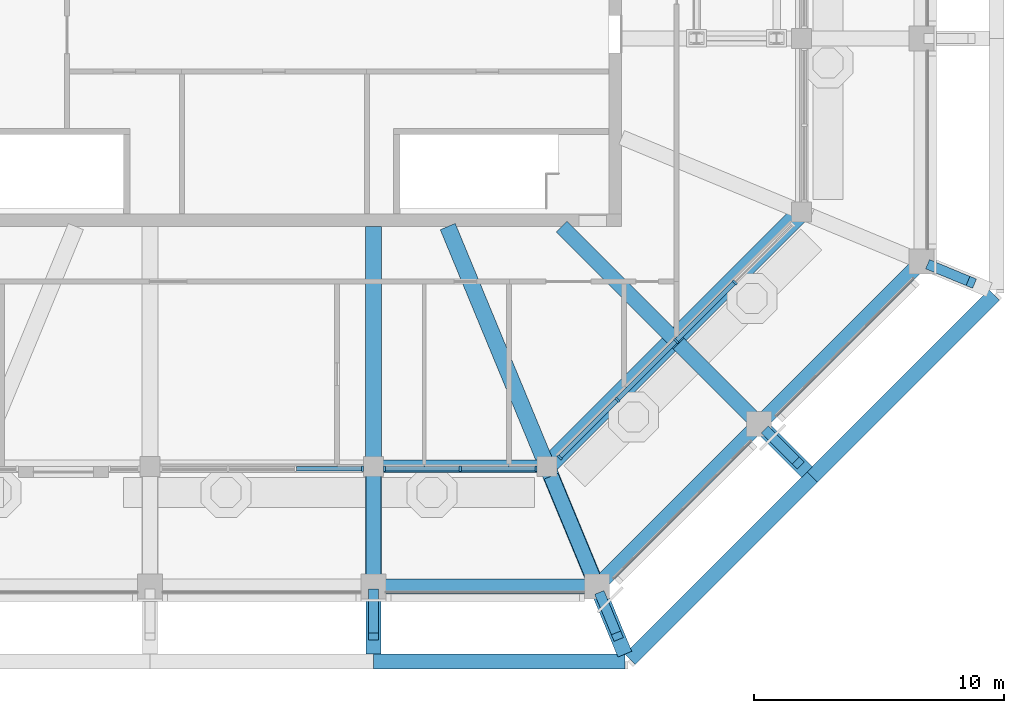
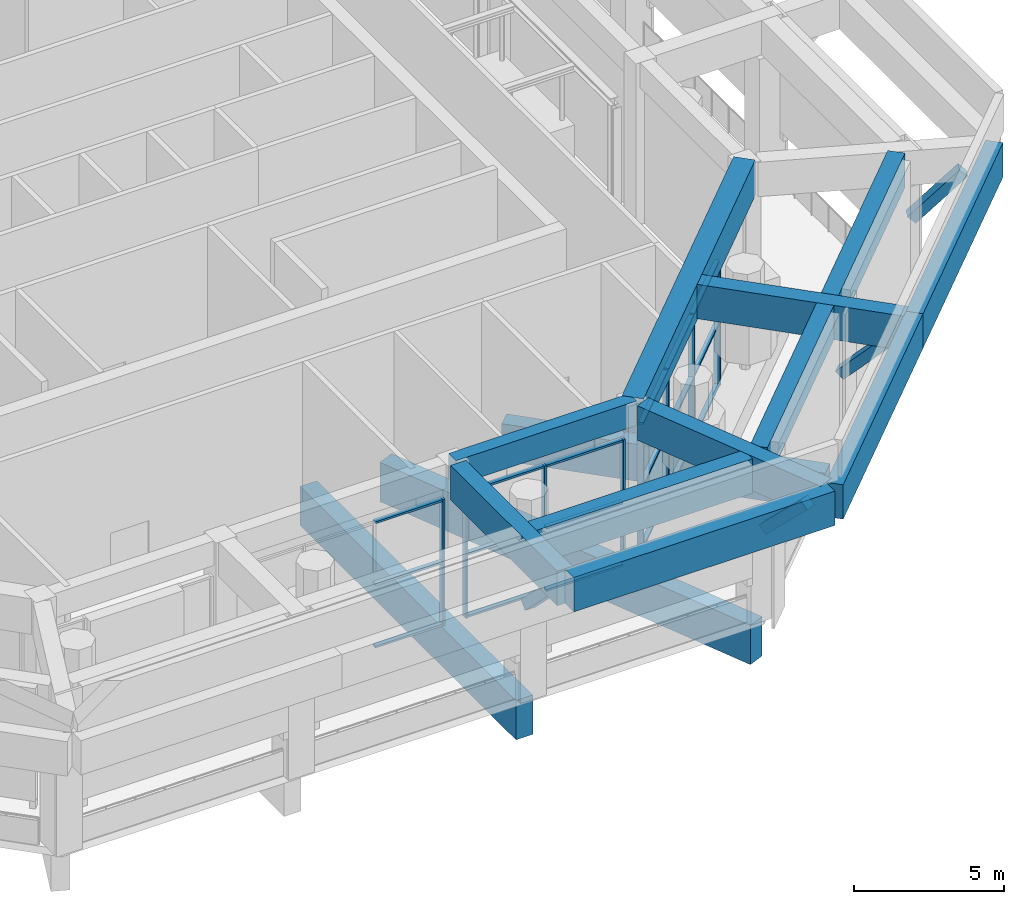
# One storey, part 7 of 29: 30 members, 14 beams, 3 elements without a shape of their own.
"""IFC4 building model written with IfcOpenShell, lengths in metres."""

from ifc_helpers import new_model, si_unit, direction, frame, origin, origin_2d, place, context, subcontext, project, spatial, rectangle, extrude, material, material_profile, profile_set, type_object, element, aggregate, save


model = new_model("IFC4")

# Units and contexts
model_context = context("Model", 3, precision=1e-05, world=origin(), true_north=direction((0.0, 1.0)))
body_context = subcontext(model_context, "Body", "Model", "MODEL_VIEW")
ifc_project = project(units=[si_unit("LENGTHUNIT", "METRE"), si_unit("AREAUNIT", "SQUARE_METRE"), si_unit("VOLUMEUNIT", "CUBIC_METRE"), si_unit("PLANEANGLEUNIT", "RADIAN"), si_unit("MASSUNIT", "GRAM", prefix="KILO")], contexts=[model_context])

# Site, building, storey
site_placement = place(None, origin())
site = spatial("IfcSite", under=ifc_project, at=site_placement, CompositionType="ELEMENT")
building_placement = place(site_placement, origin())
building = spatial("IfcBuilding", under=site, at=building_placement, Name="Msitu Wima Residences", CompositionType="ELEMENT")
storey_placement = place(building_placement, frame((0.0, 0.0, 320.10009765625)))
storey = spatial("IfcBuildingStorey", under=building, at=storey_placement, Name="L74", CompositionType="ELEMENT", Elevation=320.10009765625)

# Beams
ifc_material_1 = material(Name="Concrete C60/75", Category="concrete")
ifc_material_profile_1 = material_profile(ifc_material_1, rectangle(XDim=0.60009765625, YDim=1.39990234375, at=origin_2d()), Name="RC 600x1400")
ifc_profile_set_1 = profile_set([ifc_material_profile_1], Name="Concrete C60/75")
beam_type_1 = type_object("IfcBeamType", Name="Canopy cantilever beam CT600x1400", PredefinedType="BEAM", material=ifc_profile_set_1)
beam_1_placement = place(storey_placement, frame((4.46875, -21.988037109375, 5.89990234375), z_axis=(0.0, -1.0, 0.0), x_axis=(1.0, 0.0, 0.0)))
element("IfcBeam", 1, at=beam_1_placement, inside=storey, type_object=beam_type_1, Name="Canopy cantilever beam C-S2", PredefinedType="BEAM", context=body_context, shape_type="SweptSolid", body=[
    extrude(rectangle(XDim=0.60009765625, YDim=1.39990234375, at=origin_2d()), origin(), (0.0, 0.0, 1.0), 7.1240234375),
])
beam_2_placement = place(storey_placement, frame((11.578857421875, -21.989013671875, 5.89990234375), z_axis=(0.382671591087, -0.923884437241, 0.0), x_axis=(0.923884437241, 0.382671591087, 0.0)))
element("IfcBeam", 2, at=beam_2_placement, inside=storey, type_object=beam_type_1, Name="Canopy cantilever beam C-SE0", PredefinedType="BEAM", context=body_context, shape_type="SweptSolid", body=[
    extrude(rectangle(XDim=0.60009765625, YDim=1.39990234375, at=origin_2d()), origin(), (0.0, 0.0, 1.0), 7.708740234375),
])
beam_3_placement = place(storey_placement, frame((16.677001953125, -16.677001953125, 5.89990234375), z_axis=(0.707106781187, -0.707106781187, 0.0), x_axis=(0.707106781187, 0.707106781187, 0.0)))
element("IfcBeam", 3, at=beam_3_placement, inside=storey, type_object=beam_type_1, Name="Canopy cantilever beam C-SE1", PredefinedType="BEAM", context=body_context, shape_type="SweptSolid", body=[
    extrude(rectangle(XDim=0.60009765625, YDim=1.39990234375, at=origin_2d()), origin(), (0.0, 0.0, 1.0), 7.274169921875),
])

# Members
ifc_material_profile_2 = material_profile(ifc_material_1, rectangle(XDim=0.39990234375, YDim=0.39990234375, at=origin_2d()), Name="RC 400x400")
ifc_profile_set_2 = profile_set([ifc_material_profile_2], Name="Concrete C60/75")
member_type_1 = type_object("IfcMemberType", Name="Canopy knee strut KS400", PredefinedType="STRUT", material=ifc_profile_set_2)
for number, where, z_axis, x_axis, name in (
    (4, (26.7724609375, -13.560302734375, 3.699951171875), (0.653318495526, -0.270580195263, 0.707079416568), (0.382643374349, 0.923896124067, 0.0), "Canopy knee strut C-E0"),
    (5, (4.46875, -26.64990234375, 3.699951171875), (0.0, -0.707106781187, 0.707106781187), (1.0, 0.0, 0.0), "Canopy knee strut C-S2"),
    (6, (13.560302734375, -26.7724609375, 3.699951171875), (0.270580195263, -0.653318495526, 0.707079416568), (0.923896124067, 0.382643374349, 0.0), "Canopy knee strut C-SE0"),
):
    element("IfcMember", number, at=place(storey_placement, frame(where, z_axis=z_axis, x_axis=x_axis)), inside=storey, type_object=member_type_1, Name=name, PredefinedType="STRUT", context=body_context, shape_type="SweptSolid", body=[
        extrude(rectangle(XDim=0.39990234375, YDim=0.39990234375, at=origin_2d()), origin(), (0.0, 0.0, 1.0), 2.474853515625),
    ])
member_1_placement = place(storey_placement, frame((20.22607421875, -20.22607421875, 3.699951171875), z_axis=(0.500022618013, -0.500022618013, 0.707074793039), x_axis=(0.707106781187, 0.707106781187, 0.0)))
element("IfcMember", 7, at=member_1_placement, inside=storey, type_object=member_type_1, Name="Canopy knee strut C-SE1", PredefinedType="STRUT", context=body_context, shape_type="SweptSolid", body=[
    extrude(rectangle(XDim=0.39990234375, YDim=0.39990234375, at=origin_2d()), origin(), (0.0, 0.0, 1.0), 2.47509765625),
])

# Beams
ifc_material_profile_3 = material_profile(ifc_material_1, rectangle(XDim=0.5, YDim=1.0, at=origin_2d()), Name="RC 500x1000")
ifc_profile_set_3 = profile_set([ifc_material_profile_3], Name="Concrete C60/75")
beam_type_2 = type_object("IfcBeamType", Name="Chamber ring beam CB500x1000", PredefinedType="BEAM", material=ifc_profile_set_3)
beam_4_placement = place(storey_placement, frame((4.46875, -21.60009765625, 6.099853515625), z_axis=(1.0, 0.0, 0.0), x_axis=(0.0, 1.0, 0.0)))
element("IfcBeam", 8, at=beam_4_placement, inside=storey, type_object=beam_type_2, Name="Chamber ring beam CH14", PredefinedType="BEAM", context=body_context, shape_type="SweptSolid", body=[
    extrude(rectangle(XDim=0.5, YDim=1.0, at=origin_2d()), origin(), (0.0, 0.0, 1.0), 6.948974609375),
])
ifc_material_profile_4 = material_profile(ifc_material_1, rectangle(XDim=0.75, YDim=1.449951171875, at=origin_2d()), Name="RC 750x1450")
ifc_profile_set_4 = profile_set([ifc_material_profile_4], Name="Concrete C60/75")
beam_type_3 = type_object("IfcBeamType", Name="Chamber ring beam CB750x1450", PredefinedType="BEAM", material=ifc_profile_set_4)
beam_5_placement = place(storey_placement, frame((11.417724609375, -21.60009765625, 5.875), z_axis=(0.707106781187, 0.707106781187, 0.0), x_axis=(-0.707106781187, 0.707106781187, 0.0)))
element("IfcBeam", 9, at=beam_5_placement, inside=storey, type_object=beam_type_3, Name="Chamber ring beam CH15", PredefinedType="BEAM", context=body_context, shape_type="SweptSolid", body=[
    extrude(rectangle(XDim=0.75, YDim=1.449951171875, at=origin_2d()), origin(), (0.0, 0.0, 1.0), 14.400146484375),
])
ifc_material_profile_5 = material_profile(ifc_material_1, rectangle(XDim=0.60009765625, YDim=1.5, at=origin_2d()), Name="RC 600x1500")
ifc_profile_set_5 = profile_set([ifc_material_profile_5], Name="Concrete C60/75")
beam_type_4 = type_object("IfcBeamType", Name="Deck girder DG600x1500", PredefinedType="BEAM", material=ifc_profile_set_5)
beam_6_placement = place(storey_placement, frame((19.90283203125, -19.90283203125, -1.050048828125), z_axis=(-0.707106781187, 0.707106781187, 0.0), x_axis=(-0.707106781187, -0.707106781187, 0.0)))
element("IfcBeam", 10, at=beam_6_placement, inside=storey, type_object=beam_type_4, Name="Deck girder C-SE1", PredefinedType="BEAM", context=body_context, shape_type="SweptSolid", body=[
    extrude(rectangle(XDim=0.60009765625, YDim=1.5, at=origin_2d()), origin(), (0.0, 0.0, 1.0), 11.17626953125),
])
ifc_material_profile_6 = material_profile(ifc_material_1, rectangle(XDim=0.64990234375, YDim=1.60009765625, at=origin_2d()), Name="RC 650x1600")
ifc_profile_set_6 = profile_set([ifc_material_profile_6], Name="Concrete C60/75")
beam_type_5 = type_object("IfcBeamType", Name="Deck girder DG650x1600", PredefinedType="BEAM", material=ifc_profile_set_6)
beam_7_placement = place(storey_placement, frame((4.46875, -26.39990234375, -1.10009765625), z_axis=(0.0, 1.0, 0.0), x_axis=(-1.0, 0.0, 0.0)))
element("IfcBeam", 11, at=beam_7_placement, inside=storey, type_object=beam_type_5, Name="Deck girder C-S2", PredefinedType="BEAM", context=body_context, shape_type="SweptSolid", body=[
    extrude(rectangle(XDim=0.64990234375, YDim=1.60009765625, at=origin_2d()), origin(), (0.0, 0.0, 1.0), 14.39990234375),
])
beam_8_placement = place(storey_placement, frame((13.406005859375, -26.39990234375, -1.10009765625), z_axis=(-0.382694872378, 0.92387479382, 0.0), x_axis=(-0.92387479382, -0.382694872378, 0.0)))
element("IfcBeam", 12, at=beam_8_placement, inside=storey, type_object=beam_type_5, Name="Deck girder C-SE0", PredefinedType="BEAM", context=body_context, shape_type="SweptSolid", body=[
    extrude(rectangle(XDim=0.64990234375, YDim=1.60009765625, at=origin_2d()), origin(), (0.0, 0.0, 1.0), 15.58642578125),
])
ifc_material_profile_7 = material_profile(ifc_material_1, rectangle(XDim=0.60009765625, YDim=1.39990234375, at=origin_2d()), Name="RC 600x1400")
ifc_profile_set_7 = profile_set([ifc_material_profile_7], Name="Concrete C60/75")
beam_type_6 = type_object("IfcBeamType", Name="Fascia beam FB600x1400", PredefinedType="BEAM", material=ifc_profile_set_7)
beam_9_placement = place(storey_placement, frame((4.756591796875, -26.39990234375, 5.89990234375), z_axis=(1.0, 0.0, 0.0), x_axis=(0.0, 1.0, 0.0)))
element("IfcBeam", 13, at=beam_9_placement, inside=storey, type_object=beam_type_6, Name="Canopy fascia beam C-S2", PredefinedType="BEAM", context=body_context, shape_type="SweptSolid", body=[
    extrude(rectangle(XDim=0.60009765625, YDim=1.39990234375, at=origin_2d()), origin(), (0.0, 0.0, 1.0), 8.336669921875),
])
for number, where, z_axis, x_axis, name in (
    (14, (13.626953125, -26.178955078125, 5.89990234375), (0.707106781187, 0.707106781187, 0.0), (-0.707106781187, 0.707106781187, 0.0), "Canopy fascia beam C-SE0"),
    (15, (20.106689453125, -19.69921875, 5.89990234375), (0.707106781187, 0.707106781187, 0.0), (-0.707106781187, 0.707106781187, 0.0), "Canopy fascia beam C-SE1"),
):
    element("IfcBeam", number, at=place(storey_placement, frame(where, z_axis=z_axis, x_axis=x_axis)), inside=storey, type_object=beam_type_6, Name=name, PredefinedType="BEAM", context=body_context, shape_type="SweptSolid", body=[
        extrude(rectangle(XDim=0.60009765625, YDim=1.39990234375, at=origin_2d()), origin(), (0.0, 0.0, 1.0), 8.58740234375),
    ])
beam_10_placement = place(storey_placement, frame((4.46875, -29.39990234375, 5.89990234375), z_axis=(1.0, 0.0, 0.0), x_axis=(0.0, 1.0, 0.0)))
element("IfcBeam", 16, at=beam_10_placement, inside=storey, type_object=beam_type_6, Name="Canopy edge fascia beam C-S2", PredefinedType="BEAM", context=body_context, shape_type="SweptSolid", body=[
    extrude(rectangle(XDim=0.60009765625, YDim=1.39990234375, at=origin_2d()), origin(), (0.0, 0.0, 1.0), 10.055419921875),
])
for number, where, z_axis, x_axis, name in (
    (17, (14.736328125, -29.31201171875, 5.89990234375), (0.707106781187, 0.707106781187, 0.0), (-0.707106781187, 0.707106781187, 0.0), "Canopy edge fascia beam C-SE0"),
    (18, (22.024169921875, -22.024169921875, 5.89990234375), (0.707106781187, 0.707106781187, 0.0), (-0.707106781187, 0.707106781187, 0.0), "Canopy edge fascia beam C-SE1"),
):
    element("IfcBeam", number, at=place(storey_placement, frame(where, z_axis=z_axis, x_axis=x_axis)), inside=storey, type_object=beam_type_6, Name=name, PredefinedType="BEAM", context=body_context, shape_type="SweptSolid", body=[
        extrude(rectangle(XDim=0.60009765625, YDim=1.39990234375, at=origin_2d()), origin(), (0.0, 0.0, 1.0), 10.306640625),
    ])

# Curtain wall, member
ifc_material_2 = material(Name="Anodised aluminium, bronze finish, clear laminated double glazing", Category="aluminium")
curtain_wall_type = type_object("IfcCurtainWallType", Name="Curtain wall CW4 damper chamber wall", PredefinedType="NOTDEFINED", material=ifc_material_2)
curtain_wall_1_placement = place(storey_placement, origin())
curtain_wall_1 = element("IfcCurtainWall", 19, at=curtain_wall_1_placement, inside=storey, type_object=curtain_wall_type, Name="Curtain wall CW4 L74 CH-6b0", PredefinedType="NOTDEFINED")
ifc_material_3 = material(Name="Anodised aluminium, bronze finish", Category="aluminium")
ifc_material_profile_8 = material_profile(ifc_material_3, rectangle(XDim=0.219970703125, YDim=0.0849609375, at=origin_2d()), Name="Mullion 85x220")
ifc_profile_set_8 = profile_set([ifc_material_profile_8], Name="Anodised aluminium, bronze finish")
member_type_2 = type_object("IfcMemberType", Name="Mullion CW4 85x220", PredefinedType="MULLION", material=ifc_profile_set_8)
member_2_placement = place(storey_placement, frame((4.026123046875, -21.699951171875, 0.0), z_axis=(0.0, 0.0, 1.0), x_axis=(0.0, 1.0, 0.0)))
member_2 = element("IfcMember", 20, at=member_2_placement, type_object=member_type_2, Name="CW4 mullion 4", PredefinedType="MULLION", context=body_context, shape_type="SweptSolid", body=[
    extrude(rectangle(XDim=0.219970703125, YDim=0.0849609375, at=origin_2d()), origin(), (0.0, 0.0, 1.0), 5.14990234375),
])

# Curtain wall, members
curtain_wall_2_placement = place(storey_placement, origin())
curtain_wall_2 = element("IfcCurtainWall", 21, at=curtain_wall_2_placement, inside=storey, type_object=curtain_wall_type, Name="Curtain wall CW4 L74 CH-6c0", PredefinedType="NOTDEFINED")
member_3_placement = place(storey_placement, frame((4.9111328125, -21.699951171875, 0.0), z_axis=(0.0, 0.0, 1.0), x_axis=(0.0, 1.0, 0.0)))
member_3 = element("IfcMember", 22, at=member_3_placement, type_object=member_type_2, Name="CW4 mullion 1", PredefinedType="MULLION", context=body_context, shape_type="SweptSolid", body=[
    extrude(rectangle(XDim=0.219970703125, YDim=0.0849609375, at=origin_2d()), origin(), (0.0, 0.0, 1.0), 5.14990234375),
])
member_4_placement = place(storey_placement, frame((7.943115234375, -21.699951171875, 0.0), z_axis=(0.0, 0.0, 1.0), x_axis=(0.0, 1.0, 0.0)))
member_4 = element("IfcMember", 23, at=member_4_placement, type_object=member_type_2, Name="CW4 mullion 2", PredefinedType="MULLION", context=body_context, shape_type="SweptSolid", body=[
    extrude(rectangle(XDim=0.219970703125, YDim=0.0849609375, at=origin_2d()), origin(), (0.0, 0.0, 1.0), 5.14990234375),
])
member_5_placement = place(storey_placement, frame((10.97509765625, -21.699951171875, 0.0), z_axis=(0.0, 0.0, 1.0), x_axis=(0.0, 1.0, 0.0)))
member_5 = element("IfcMember", 24, at=member_5_placement, type_object=member_type_2, Name="CW4 mullion 3", PredefinedType="MULLION", context=body_context, shape_type="SweptSolid", body=[
    extrude(rectangle(XDim=0.219970703125, YDim=0.0849609375, at=origin_2d()), origin(), (0.0, 0.0, 1.0), 5.14990234375),
])

curtain_wall_3_placement = place(storey_placement, origin())
curtain_wall_3 = element("IfcCurtainWall", 25, at=curtain_wall_3_placement, inside=storey, type_object=curtain_wall_type, Name="Curtain wall CW4 L74 CH-7a0", PredefinedType="NOTDEFINED")
member_6_placement = place(storey_placement, frame((11.91845703125, -21.24072265625, 0.0), z_axis=(0.0, 0.0, 1.0), x_axis=(-0.707106781187, 0.707106781187, 0.0)))
member_6 = element("IfcMember", 26, at=member_6_placement, type_object=member_type_2, Name="CW4 mullion 1", PredefinedType="MULLION", context=body_context, shape_type="SweptSolid", body=[
    extrude(rectangle(XDim=0.219970703125, YDim=0.0849609375, at=origin_2d()), origin(), (0.0, 0.0, 1.0), 5.14990234375),
])
member_7_placement = place(storey_placement, frame((14.23388671875, -18.925048828125, 0.0), z_axis=(0.0, 0.0, 1.0), x_axis=(-0.707106781187, 0.707106781187, 0.0)))
member_7 = element("IfcMember", 27, at=member_7_placement, type_object=member_type_2, Name="CW4 mullion 2", PredefinedType="MULLION", context=body_context, shape_type="SweptSolid", body=[
    extrude(rectangle(XDim=0.219970703125, YDim=0.0849609375, at=origin_2d()), origin(), (0.0, 0.0, 1.0), 5.14990234375),
])
member_8_placement = place(storey_placement, frame((16.57958984375, -16.57958984375, 0.0), z_axis=(0.0, 0.0, 1.0), x_axis=(-0.707106781187, 0.707106781187, 0.0)))
member_8 = element("IfcMember", 28, at=member_8_placement, type_object=member_type_2, Name="CW4 mullion 3", PredefinedType="MULLION", context=body_context, shape_type="SweptSolid", body=[
    extrude(rectangle(XDim=0.219970703125, YDim=0.0849609375, at=origin_2d()), origin(), (0.0, 0.0, 1.0), 5.14990234375),
])
member_9_placement = place(storey_placement, frame((18.925048828125, -14.23388671875, 0.0), z_axis=(0.0, 0.0, 1.0), x_axis=(-0.707106781187, 0.707106781187, 0.0)))
member_9 = element("IfcMember", 29, at=member_9_placement, type_object=member_type_2, Name="CW4 mullion 4", PredefinedType="MULLION", context=body_context, shape_type="SweptSolid", body=[
    extrude(rectangle(XDim=0.219970703125, YDim=0.0849609375, at=origin_2d()), origin(), (0.0, 0.0, 1.0), 5.14990234375),
])

# Member
ifc_material_profile_9 = material_profile(ifc_material_3, rectangle(XDim=0.179931640625, YDim=0.0849609375, at=origin_2d()), Name="Transom 85x180")
ifc_profile_set_9 = profile_set([ifc_material_profile_9], Name="Anodised aluminium, bronze finish")
member_type_3 = type_object("IfcMemberType", Name="Transom CW4 85x180", PredefinedType="USERDEFINED", material=ifc_profile_set_9)
member_10_placement = place(storey_placement, frame((1.398681640625, -21.699951171875, 0.04248046875), z_axis=(1.0, 0.0, 0.0), x_axis=(0.0, 1.0, 0.0)))
member_10 = element("IfcMember", 30, at=member_10_placement, type_object=member_type_3, Name="CW4 transom 3.1", ObjectType="TRANSOM", PredefinedType="USERDEFINED", context=body_context, shape_type="SweptSolid", body=[
    extrude(rectangle(XDim=0.179931640625, YDim=0.0849609375, at=origin_2d()), origin(), (0.0, 0.0, 1.0), 2.5849609375),
])

member_11_placement = place(storey_placement, frame((1.398681640625, -21.699951171875, 2.574951171875), z_axis=(1.0, 0.0, 0.0), x_axis=(0.0, 1.0, 0.0)))
member_11 = element("IfcMember", 31, at=member_11_placement, type_object=member_type_3, Name="CW4 transom 3.2", ObjectType="TRANSOM", PredefinedType="USERDEFINED", context=body_context, shape_type="SweptSolid", body=[
    extrude(rectangle(XDim=0.179931640625, YDim=0.0849609375, at=origin_2d()), origin(), (0.0, 0.0, 1.0), 2.5849609375),
])

member_12_placement = place(storey_placement, frame((1.398681640625, -21.699951171875, 5.107421875), z_axis=(1.0, 0.0, 0.0), x_axis=(0.0, 1.0, 0.0)))
member_12 = element("IfcMember", 32, at=member_12_placement, type_object=member_type_3, Name="CW4 transom 3.3", ObjectType="TRANSOM", PredefinedType="USERDEFINED", context=body_context, shape_type="SweptSolid", body=[
    extrude(rectangle(XDim=0.179931640625, YDim=0.0849609375, at=origin_2d()), origin(), (0.0, 0.0, 1.0), 2.5849609375),
])

aggregate(curtain_wall_1, [member_2, member_10, member_11, member_12])

member_13_placement = place(storey_placement, frame((4.95361328125, -21.699951171875, 0.04248046875), z_axis=(1.0, 0.0, 0.0), x_axis=(0.0, 1.0, 0.0)))
member_13 = element("IfcMember", 33, at=member_13_placement, type_object=member_type_3, Name="CW4 transom 1.1", ObjectType="TRANSOM", PredefinedType="USERDEFINED", context=body_context, shape_type="SweptSolid", body=[
    extrude(rectangle(XDim=0.179931640625, YDim=0.0849609375, at=origin_2d()), origin(), (0.0, 0.0, 1.0), 2.947021484375),
])

member_14_placement = place(storey_placement, frame((4.95361328125, -21.699951171875, 2.574951171875), z_axis=(1.0, 0.0, 0.0), x_axis=(0.0, 1.0, 0.0)))
member_14 = element("IfcMember", 34, at=member_14_placement, type_object=member_type_3, Name="CW4 transom 1.2", ObjectType="TRANSOM", PredefinedType="USERDEFINED", context=body_context, shape_type="SweptSolid", body=[
    extrude(rectangle(XDim=0.179931640625, YDim=0.0849609375, at=origin_2d()), origin(), (0.0, 0.0, 1.0), 2.947021484375),
])

member_15_placement = place(storey_placement, frame((4.95361328125, -21.699951171875, 5.107421875), z_axis=(1.0, 0.0, 0.0), x_axis=(0.0, 1.0, 0.0)))
member_15 = element("IfcMember", 35, at=member_15_placement, type_object=member_type_3, Name="CW4 transom 1.3", ObjectType="TRANSOM", PredefinedType="USERDEFINED", context=body_context, shape_type="SweptSolid", body=[
    extrude(rectangle(XDim=0.179931640625, YDim=0.0849609375, at=origin_2d()), origin(), (0.0, 0.0, 1.0), 2.947021484375),
])

member_16_placement = place(storey_placement, frame((7.985595703125, -21.699951171875, 0.04248046875), z_axis=(1.0, 0.0, 0.0), x_axis=(0.0, 1.0, 0.0)))
member_16 = element("IfcMember", 36, at=member_16_placement, type_object=member_type_3, Name="CW4 transom 2.1", ObjectType="TRANSOM", PredefinedType="USERDEFINED", context=body_context, shape_type="SweptSolid", body=[
    extrude(rectangle(XDim=0.179931640625, YDim=0.0849609375, at=origin_2d()), origin(), (0.0, 0.0, 1.0), 2.947021484375),
])

member_17_placement = place(storey_placement, frame((7.985595703125, -21.699951171875, 2.574951171875), z_axis=(1.0, 0.0, 0.0), x_axis=(0.0, 1.0, 0.0)))
member_17 = element("IfcMember", 37, at=member_17_placement, type_object=member_type_3, Name="CW4 transom 2.2", ObjectType="TRANSOM", PredefinedType="USERDEFINED", context=body_context, shape_type="SweptSolid", body=[
    extrude(rectangle(XDim=0.179931640625, YDim=0.0849609375, at=origin_2d()), origin(), (0.0, 0.0, 1.0), 2.947021484375),
])

member_18_placement = place(storey_placement, frame((7.985595703125, -21.699951171875, 5.107421875), z_axis=(1.0, 0.0, 0.0), x_axis=(0.0, 1.0, 0.0)))
member_18 = element("IfcMember", 38, at=member_18_placement, type_object=member_type_3, Name="CW4 transom 2.3", ObjectType="TRANSOM", PredefinedType="USERDEFINED", context=body_context, shape_type="SweptSolid", body=[
    extrude(rectangle(XDim=0.179931640625, YDim=0.0849609375, at=origin_2d()), origin(), (0.0, 0.0, 1.0), 2.947021484375),
])

aggregate(curtain_wall_2, [member_3, member_4, member_5, member_13, member_14, member_15, member_16, member_17, member_18])

member_19_placement = place(storey_placement, frame((11.948486328125, -21.210693359375, 0.04248046875), z_axis=(0.707068510584, 0.707145049717, 0.0), x_axis=(-0.707145049717, 0.707068510584, 0.0)))
member_19 = element("IfcMember", 39, at=member_19_placement, type_object=member_type_3, Name="CW4 transom 1.1", ObjectType="TRANSOM", PredefinedType="USERDEFINED", context=body_context, shape_type="SweptSolid", body=[
    extrude(rectangle(XDim=0.179931640625, YDim=0.0849609375, at=origin_2d()), origin(), (0.0, 0.0, 1.0), 3.189697265625),
])

member_20_placement = place(storey_placement, frame((11.948486328125, -21.210693359375, 2.574951171875), z_axis=(0.707068510584, 0.707145049717, 0.0), x_axis=(-0.707145049717, 0.707068510584, 0.0)))
member_20 = element("IfcMember", 40, at=member_20_placement, type_object=member_type_3, Name="CW4 transom 1.2", ObjectType="TRANSOM", PredefinedType="USERDEFINED", context=body_context, shape_type="SweptSolid", body=[
    extrude(rectangle(XDim=0.179931640625, YDim=0.0849609375, at=origin_2d()), origin(), (0.0, 0.0, 1.0), 3.189697265625),
])

member_21_placement = place(storey_placement, frame((11.948486328125, -21.210693359375, 5.107421875), z_axis=(0.707068510584, 0.707145049717, 0.0), x_axis=(-0.707145049717, 0.707068510584, 0.0)))
member_21 = element("IfcMember", 41, at=member_21_placement, type_object=member_type_3, Name="CW4 transom 1.3", ObjectType="TRANSOM", PredefinedType="USERDEFINED", context=body_context, shape_type="SweptSolid", body=[
    extrude(rectangle(XDim=0.179931640625, YDim=0.0849609375, at=origin_2d()), origin(), (0.0, 0.0, 1.0), 3.189697265625),
])

member_22_placement = place(storey_placement, frame((14.263916015625, -18.89501953125, 0.04248046875), z_axis=(0.707144546924, 0.707069013432, 0.0), x_axis=(-0.707069013432, 0.707144546924, 0.0)))
member_22 = element("IfcMember", 42, at=member_22_placement, type_object=member_type_3, Name="CW4 transom 2.1", ObjectType="TRANSOM", PredefinedType="USERDEFINED", context=body_context, shape_type="SweptSolid", body=[
    extrude(rectangle(XDim=0.179931640625, YDim=0.0849609375, at=origin_2d()), origin(), (0.0, 0.0, 1.0), 3.232177734375),
])

member_23_placement = place(storey_placement, frame((14.263916015625, -18.89501953125, 2.574951171875), z_axis=(0.707144546924, 0.707069013432, 0.0), x_axis=(-0.707069013432, 0.707144546924, 0.0)))
member_23 = element("IfcMember", 43, at=member_23_placement, type_object=member_type_3, Name="CW4 transom 2.2", ObjectType="TRANSOM", PredefinedType="USERDEFINED", context=body_context, shape_type="SweptSolid", body=[
    extrude(rectangle(XDim=0.179931640625, YDim=0.0849609375, at=origin_2d()), origin(), (0.0, 0.0, 1.0), 3.232177734375),
])

member_24_placement = place(storey_placement, frame((14.263916015625, -18.89501953125, 5.107421875), z_axis=(0.707144546924, 0.707069013432, 0.0), x_axis=(-0.707069013432, 0.707144546924, 0.0)))
member_24 = element("IfcMember", 44, at=member_24_placement, type_object=member_type_3, Name="CW4 transom 2.3", ObjectType="TRANSOM", PredefinedType="USERDEFINED", context=body_context, shape_type="SweptSolid", body=[
    extrude(rectangle(XDim=0.179931640625, YDim=0.0849609375, at=origin_2d()), origin(), (0.0, 0.0, 1.0), 3.232177734375),
])

member_25_placement = place(storey_placement, frame((16.609619140625, -16.549560546875, 0.04248046875), z_axis=(0.707069013432, 0.707144546924, 0.0), x_axis=(-0.707144546924, 0.707069013432, 0.0)))
member_25 = element("IfcMember", 45, at=member_25_placement, type_object=member_type_3, Name="CW4 transom 3.1", ObjectType="TRANSOM", PredefinedType="USERDEFINED", context=body_context, shape_type="SweptSolid", body=[
    extrude(rectangle(XDim=0.179931640625, YDim=0.0849609375, at=origin_2d()), origin(), (0.0, 0.0, 1.0), 3.232177734375),
])

member_26_placement = place(storey_placement, frame((16.609619140625, -16.549560546875, 2.574951171875), z_axis=(0.707069013432, 0.707144546924, 0.0), x_axis=(-0.707144546924, 0.707069013432, 0.0)))
member_26 = element("IfcMember", 46, at=member_26_placement, type_object=member_type_3, Name="CW4 transom 3.2", ObjectType="TRANSOM", PredefinedType="USERDEFINED", context=body_context, shape_type="SweptSolid", body=[
    extrude(rectangle(XDim=0.179931640625, YDim=0.0849609375, at=origin_2d()), origin(), (0.0, 0.0, 1.0), 3.232177734375),
])

member_27_placement = place(storey_placement, frame((16.609619140625, -16.549560546875, 5.107421875), z_axis=(0.707069013432, 0.707144546924, 0.0), x_axis=(-0.707144546924, 0.707069013432, 0.0)))
member_27 = element("IfcMember", 47, at=member_27_placement, type_object=member_type_3, Name="CW4 transom 3.3", ObjectType="TRANSOM", PredefinedType="USERDEFINED", context=body_context, shape_type="SweptSolid", body=[
    extrude(rectangle(XDim=0.179931640625, YDim=0.0849609375, at=origin_2d()), origin(), (0.0, 0.0, 1.0), 3.232177734375),
])

aggregate(curtain_wall_3, [member_6, member_7, member_8, member_9, member_19, member_20, member_21, member_22, member_23, member_24, member_25, member_26, member_27])

save(model, "model.ifc")
